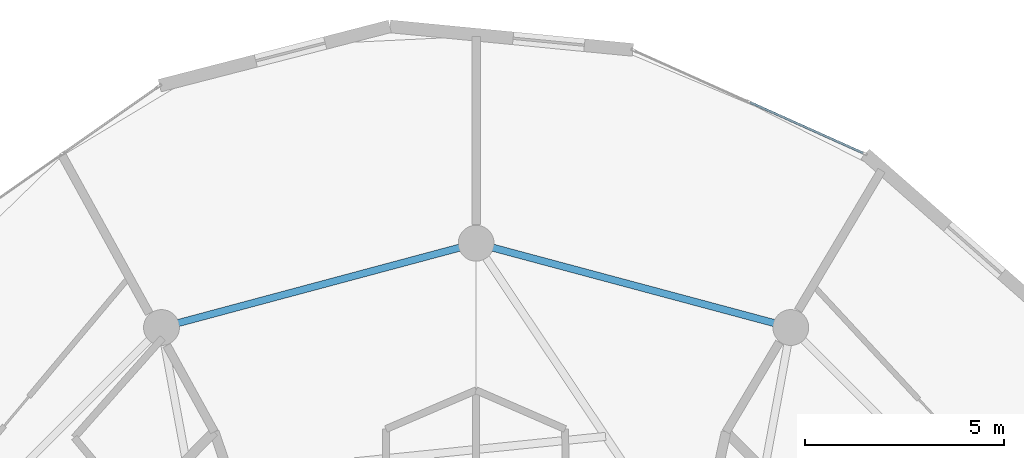
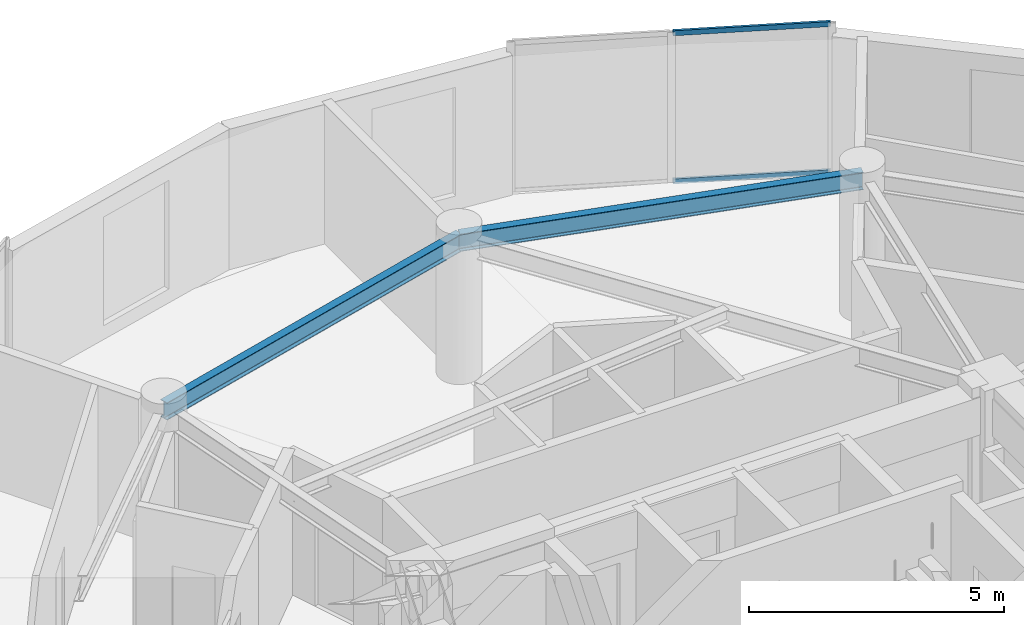
# One storey, part 13 of 21: 2 beams, 2 members, 1 element without a shape of its own.
"""IFC4 building model written with IfcOpenShell, lengths in metres."""

import ifcopenshell
import ifcopenshell.guid

model = None  # the IFC model being written
_history = None  # IfcOwnerHistory: only IFC2X3 demands one
_inside = {}  # id of a spatial element -> (the spatial element, [elements in it])
_under = {}  # id of a project, library or spatial element -> (it, [spatial elements below it])
_declared = {}  # id of a project -> (the project, [libraries it declares])
_typed = {}  # id of a type object -> (the type object, [elements of that type])
_made_of = {}  # id of a material, layer set ... -> (it, [elements and type objects made of it])


def new_model(schema):
    """Start an empty IFC model of exactly this schema.

    Asked for "IFC4X3", IfcOpenShell would pick the latest addendum, in which some entities
    have other attributes; the version numbers below select the first issue.
    IFC2X3 requires an IfcOwnerHistory on every rooted entity: one is made here for all.
    """
    global model, _history
    if schema == "IFC4X3":
        model = ifcopenshell.file(schema_version=(4, 3, 0, 0))
    else:
        model = ifcopenshell.file(schema=schema)
    _inside.clear()
    _under.clear()
    _declared.clear()
    _typed.clear()
    _made_of.clear()
    _history = None
    if model.schema == "IFC2X3":
        org = make("IfcOrganization", Name="unknown")
        user = make(
            "IfcPersonAndOrganization",
            ThePerson=make("IfcPerson", FamilyName="unknown"),
            TheOrganization=org,
        )
        app = make(
            "IfcApplication",
            ApplicationDeveloper=org,
            Version="unknown",
            ApplicationFullName="unknown",
            ApplicationIdentifier="unknown",
        )
        _history = make(
            "IfcOwnerHistory",
            OwningUser=user,
            OwningApplication=app,
            ChangeAction="ADDED",
            CreationDate=0,
        )
    return model


def make(cls, **values):
    """One entity of the class cls with the attributes given. An attribute that is None is left unset."""
    return model.create_entity(
        cls, **{name: value for name, value in values.items() if value is not None}
    )


def rooted(cls, **values):
    """An entity with a GlobalId (a new one), such as an element, a storey or a relation."""
    return make(cls, GlobalId=ifcopenshell.guid.new(), OwnerHistory=_history, **values)


def si_unit(unit_type, name, prefix=None):
    """IfcSIUnit, for example si_unit("LENGTHUNIT", "METRE", prefix="MILLI")."""
    return make("IfcSIUnit", UnitType=unit_type, Prefix=prefix, Name=name)


def assignment(units):
    """IfcUnitAssignment: the units of a project."""
    return None if units is None else make("IfcUnitAssignment", Units=units)


def point(xyz):
    """IfcCartesianPoint."""
    return None if xyz is None else make("IfcCartesianPoint", Coordinates=xyz)


def direction(xyz):
    """IfcDirection."""
    return None if xyz is None else make("IfcDirection", DirectionRatios=xyz)


def frame(location, z_axis=None, x_axis=None):
    """IfcAxis2Placement3D, a coordinate frame: its origin and axes. An axis left out is left unset."""
    return make(
        "IfcAxis2Placement3D",
        Location=point(location),
        Axis=direction(z_axis),
        RefDirection=direction(x_axis),
    )


def frame_2d(location, x_axis=None):
    """IfcAxis2Placement2D, a coordinate frame in the plane: its origin and x axis."""
    return make(
        "IfcAxis2Placement2D", Location=point(location), RefDirection=direction(x_axis)
    )


def origin():
    """The frame at (0, 0, 0) with its axes left unset."""
    return frame((0.0, 0.0, 0.0))


def origin_2d():
    """The frame at (0, 0) in the plane with its x axis left unset."""
    return frame_2d((0.0, 0.0))


def place(relative_to, where):
    """IfcLocalPlacement: puts the frame where relative to a parent placement (None: the world)."""
    return make(
        "IfcLocalPlacement", PlacementRelTo=relative_to, RelativePlacement=where
    )


def context(
    kind, dimensions, precision=None, world=None, true_north=None, identifier=None
):
    """IfcGeometricRepresentationContext, for example the 3D "Model" context."""
    return make(
        "IfcGeometricRepresentationContext",
        ContextIdentifier=identifier,
        ContextType=kind,
        CoordinateSpaceDimension=dimensions,
        Precision=precision,
        WorldCoordinateSystem=world,
        TrueNorth=true_north,
    )


def subcontext(parent, identifier, kind, view, scale=None):
    """IfcGeometricRepresentationSubContext, for example "Body" below "Model"."""
    return make(
        "IfcGeometricRepresentationSubContext",
        ContextIdentifier=identifier,
        ContextType=kind,
        ParentContext=parent,
        TargetScale=scale,
        TargetView=view,
    )


def project(units=None, contexts=None):
    """IfcProject with its units and contexts."""
    return rooted(
        "IfcProject",
        Name="project",
        RepresentationContexts=contexts,
        UnitsInContext=assignment(units),
    )


def spatial(cls, under=None, at=None, **own):
    """A site, building, storey or space (cls), placed at a placement, below another one or the project."""
    s = rooted(cls, ObjectPlacement=at, **own)
    if under is not None:
        _under.setdefault(under.id(), (under, []))[1].append(s)
    return s


def profile(cls, at=None, kind="AREA", **sizes):
    """A parametric profile (cls). Its sizes go by their IFC names, for example OverallWidth=200.0."""
    return make(cls, ProfileType=kind, Position=at, **sizes)


def hollow_rectangle(**sizes):
    """IfcRectangleHollowProfileDef."""
    return profile("IfcRectangleHollowProfileDef", **sizes)


def i_section(**sizes):
    """IfcIShapeProfileDef."""
    return profile("IfcIShapeProfileDef", **sizes)


def extrude(swept, where, along, depth):
    """IfcExtrudedAreaSolid: the profile swept, set in the frame where, extruded along a direction by depth."""
    return make(
        "IfcExtrudedAreaSolid",
        SweptArea=swept,
        Position=where,
        ExtrudedDirection=direction(along),
        Depth=depth,
    )


def shape(context_of_items, identifier, shape_type, items):
    """IfcShapeRepresentation: the items that make up one representation, for example the "Body"."""
    return make(
        "IfcShapeRepresentation",
        ContextOfItems=context_of_items,
        RepresentationIdentifier=identifier,
        RepresentationType=shape_type,
        Items=items,
    )


def source(mapping_origin, context_of_items, identifier, shape_type, items):
    """IfcRepresentationMap: a shape defined once, which mapped items show again and again."""
    return make(
        "IfcRepresentationMap",
        MappingOrigin=mapping_origin,
        MappedRepresentation=shape(context_of_items, identifier, shape_type, items),
    )


def transform(
    local_origin,
    x_axis=None,
    y_axis=None,
    z_axis=None,
    scale=None,
    scale2=None,
    scale3=None,
    uniform=True,
):
    """IfcCartesianTransformationOperator3D, or its non-uniform kind. x_axis, y_axis, z_axis: its Axis1, 2, 3."""
    if uniform:
        return make(
            "IfcCartesianTransformationOperator3D",
            Axis1=direction(x_axis),
            Axis2=direction(y_axis),
            LocalOrigin=point(local_origin),
            Scale=scale,
            Axis3=direction(z_axis),
        )
    return make(
        "IfcCartesianTransformationOperator3DnonUniform",
        Axis1=direction(x_axis),
        Axis2=direction(y_axis),
        LocalOrigin=point(local_origin),
        Scale=scale,
        Axis3=direction(z_axis),
        Scale2=scale2,
        Scale3=scale3,
    )


def mapped(mapping_source, mapping_target):
    """IfcMappedItem: shows the shape of a source again, moved by a transform."""
    return make(
        "IfcMappedItem", MappingSource=mapping_source, MappingTarget=mapping_target
    )


def material(Name=None, Category=None):
    """IfcMaterial."""
    return make("IfcMaterial", Name=Name, Category=Category)


def layer(
    of_material, thickness, ventilated=None, Name=None, Category=None, Priority=None
):
    """IfcMaterialLayer: one layer of a wall or slab, of a material (None: an air gap)."""
    return make(
        "IfcMaterialLayer",
        Material=of_material,
        LayerThickness=thickness,
        IsVentilated=ventilated,
        Name=Name,
        Category=Category,
        Priority=Priority,
    )


def layer_set(layers, Name=None):
    """IfcMaterialLayerSet."""
    return make("IfcMaterialLayerSet", MaterialLayers=layers, LayerSetName=Name)


def material_profile(
    of_material, cross_section, Name=None, Category=None, Priority=None
):
    """IfcMaterialProfile: a cross section and its material."""
    return make(
        "IfcMaterialProfile",
        Name=Name,
        Material=of_material,
        Profile=cross_section,
        Priority=Priority,
        Category=Category,
    )


def profile_set(profiles, Name=None, composite=None):
    """IfcMaterialProfileSet."""
    return make(
        "IfcMaterialProfileSet",
        Name=Name,
        MaterialProfiles=profiles,
        CompositeProfile=composite,
    )


def made_of(thing, what):
    """Note that an element or type object is made of a material, layer set ...; save() writes the relation."""
    if what is not None:
        _made_of.setdefault(what.id(), (what, []))[1].append(thing)
    return thing


def type_object(cls, material=None, **own):
    """A type object (cls), such as IfcWallType, which elements share."""
    return made_of(rooted(cls, **own), material)


def element(
    cls,
    number,
    at=None,
    inside=None,
    cuts=None,
    type_object=None,
    material=None,
    context=None,
    identifier="Body",
    shape_type=None,
    held_by="IfcProductDefinitionShape",
    body=None,
    shapes=None,
    **own,
):
    """One element of the class cls, such as IfcWall. Its Tag is "e" and its number.

    at: its placement. inside: the storey or other place that contains it. cuts: it is an
    opening in that element (IfcRelVoidsElement). A single representation is given by context,
    identifier, shape_type and body (its items); several are given by shapes. held_by: the class
    of the entity that holds the representations. save() writes the other relations.
    """
    e = rooted(cls, Tag="e%d" % number, ObjectPlacement=at, **own)
    if body is not None:
        shapes = [shape(context, identifier, shape_type, body)]
    if shapes is not None:
        e.Representation = make(held_by, Representations=shapes)
    if inside is not None:
        _inside.setdefault(inside.id(), (inside, []))[1].append(e)
    if cuts is not None:
        rooted(
            "IfcRelVoidsElement", RelatingBuildingElement=cuts, RelatedOpeningElement=e
        )
    if type_object is not None:
        _typed.setdefault(type_object.id(), (type_object, []))[1].append(e)
    return made_of(e, material)


def aggregate(whole, parts):
    """IfcRelAggregates: a whole, such as a stair, and the parts it consists of."""
    return rooted("IfcRelAggregates", RelatingObject=whole, RelatedObjects=parts)


def save(model, path):
    """Write the relations noted so far, then the file.

    IfcRelAggregates (storeys below a building ...), IfcRelContainedInSpatialStructure (elements
    in a storey), IfcRelDefinesByType, IfcRelAssociatesMaterial and IfcRelDeclares: one each for
    every whole, place, type object, material and project.
    """
    for whole, parts in _under.values():
        aggregate(whole, parts)
    for where, things in _inside.values():
        rooted(
            "IfcRelContainedInSpatialStructure",
            RelatedElements=things,
            RelatingStructure=where,
        )
    for kind, things in _typed.values():
        rooted("IfcRelDefinesByType", RelatedObjects=things, RelatingType=kind)
    for what, things in _made_of.values():
        rooted("IfcRelAssociatesMaterial", RelatedObjects=things, RelatingMaterial=what)
    for by, libraries in _declared.values():
        rooted("IfcRelDeclares", RelatingContext=by, RelatedDefinitions=libraries)
    model.write(path)


model = new_model("IFC4")

# Units and contexts
model_context = context("Model", 3, precision=1e-05, world=origin(), true_north=direction((0.0, 1.0)))
body_context = subcontext(model_context, "Body", "Model", "MODEL_VIEW")
ifc_project = project(units=[si_unit("LENGTHUNIT", "METRE"), si_unit("AREAUNIT", "SQUARE_METRE"), si_unit("VOLUMEUNIT", "CUBIC_METRE"), si_unit("PLANEANGLEUNIT", "RADIAN"), si_unit("MASSUNIT", "GRAM", prefix="KILO")], contexts=[model_context])

# Site, building, storey
site_placement = place(None, origin())
site = spatial("IfcSite", under=ifc_project, at=site_placement, CompositionType="ELEMENT")
building_placement = place(site_placement, origin())
building = spatial("IfcBuilding", under=site, at=building_placement, Name="Solvirekh Grand Hotel", CompositionType="ELEMENT")
storey_placement = place(building_placement, frame((0.0, 0.0, 205.60009765625)))
storey = spatial("IfcBuildingStorey", under=building, at=storey_placement, Name="L53", CompositionType="ELEMENT", Elevation=205.60009765625)

# Beams
ifc_material_1 = material(Name="Steel S355", Category="steel")
ifc_material_profile_1 = material_profile(ifc_material_1, i_section(OverallWidth=0.180908203125, OverallDepth=0.4169921875, WebThickness=0.010009765625, FlangeThickness=0.01611328125, FilletRadius=0.011962890625, at=origin_2d()), Name="W410X85")
ifc_profile_set_1 = profile_set([ifc_material_profile_1], Name="Steel S355")
beam_type = type_object("IfcBeamType", Name="Spandrel_Ring_W410", PredefinedType="SPANDREL", material=ifc_profile_set_1)
for number, where, z_axis, x_axis, name in (
    (1, (7.89990234375, 13.68310546875, 3.15185546875), (-0.965920601923, 0.258838541915, 0.0), (-0.258838541915, -0.965920601923, 0.0), "L53 perimeter spandrel beam 3"),
    (2, (0.0, 15.800048828125, 3.15185546875), (-0.965920601923, -0.258838541915, 0.0), (0.258838541915, -0.965920601923, 0.0), "L53 perimeter spandrel beam 4"),
):
    element("IfcBeam", number, at=place(storey_placement, frame(where, z_axis=z_axis, x_axis=x_axis)), inside=storey, type_object=beam_type, Name=name, PredefinedType="SPANDREL", context=body_context, shape_type="SweptSolid", body=[
        extrude(i_section(OverallWidth=0.180908203125, OverallDepth=0.4169921875, WebThickness=0.010009765625, FlangeThickness=0.01611328125, FilletRadius=0.011962890625, at=origin_2d()), origin(), (0.0, 0.0, 1.0), 8.1787109375),
    ])

# Curtain wall, members
ifc_material_2 = material(Name="Anodized Bronze Aluminium 6063-T6", Category="aluminium")
ifc_layer = layer(ifc_material_2, 0.159912109375)
ifc_layer_set = layer_set([ifc_layer], Name="Anodized Bronze Aluminium 6063-T6")
curtain_wall_type = type_object("IfcCurtainWallType", Name="CW_Sys4_HighZoneFlushBronzeCW", PredefinedType="NOTDEFINED", material=ifc_layer_set)
curtain_wall_placement = place(storey_placement, origin())
curtain_wall = element("IfcCurtainWall", 3, at=curtain_wall_placement, inside=storey, type_object=curtain_wall_type, Name="L53 unitised bronze-glass curtain wall CW-L53-C08", PredefinedType="NOTDEFINED")
ifc_material_profile_2 = material_profile(ifc_material_2, hollow_rectangle(XDim=0.054931640625, YDim=0.1201171875, WallThickness=0.00390625, at=origin_2d()), Name="ALU RHS 120X55X4")
ifc_profile_set_2 = profile_set([ifc_material_profile_2], Name="Anodized Bronze Aluminium 6063-T6")
member_type = type_object("IfcMemberType", Name="CWTransom_Sys4", PredefinedType="USERDEFINED", material=ifc_profile_set_2)
shared_shape = source(origin(), body_context, "Body", "SweptSolid", [
    extrude(hollow_rectangle(XDim=0.054931640625, YDim=0.1201171875, WallThickness=0.00390625, at=origin_2d()), origin(), (0.0, 0.0, 1.0), 3.104736328125),
])
member_1_placement = place(storey_placement, frame((9.712158203125, 18.0654296875, 0.02734375), z_axis=(-0.912545757171, 0.408974621546, 0.0), x_axis=(-0.408974621546, -0.912545757171, 0.0)))
member_1 = element("IfcMember", 4, at=member_1_placement, type_object=member_type, Name="U04 transom 1.1", ObjectType="TRANSOM", PredefinedType="USERDEFINED", context=body_context, shape_type="MappedRepresentation", body=[
    mapped(shared_shape, transform((0.0, 0.0, 0.0), x_axis=(1.0, 0.0, 0.0), y_axis=(0.0, 1.0, 0.0), z_axis=(0.0, 0.0, 1.0), scale=1.0)),
])
member_2_placement = place(storey_placement, frame((9.712158203125, 18.0654296875, 3.572509765625), z_axis=(-0.912545757171, 0.408974621546, 0.0), x_axis=(-0.408974621546, -0.912545757171, 0.0)))
member_2 = element("IfcMember", 5, at=member_2_placement, type_object=member_type, Name="U04 transom 1.2", ObjectType="TRANSOM", PredefinedType="USERDEFINED", context=body_context, shape_type="MappedRepresentation", body=[
    mapped(shared_shape, transform((0.0, 0.0, 0.0), x_axis=(1.0, 0.0, 0.0), y_axis=(0.0, 1.0, 0.0), z_axis=(0.0, 0.0, 1.0), scale=1.0)),
])
aggregate(curtain_wall, [member_1, member_2])

save(model, "model.ifc")
